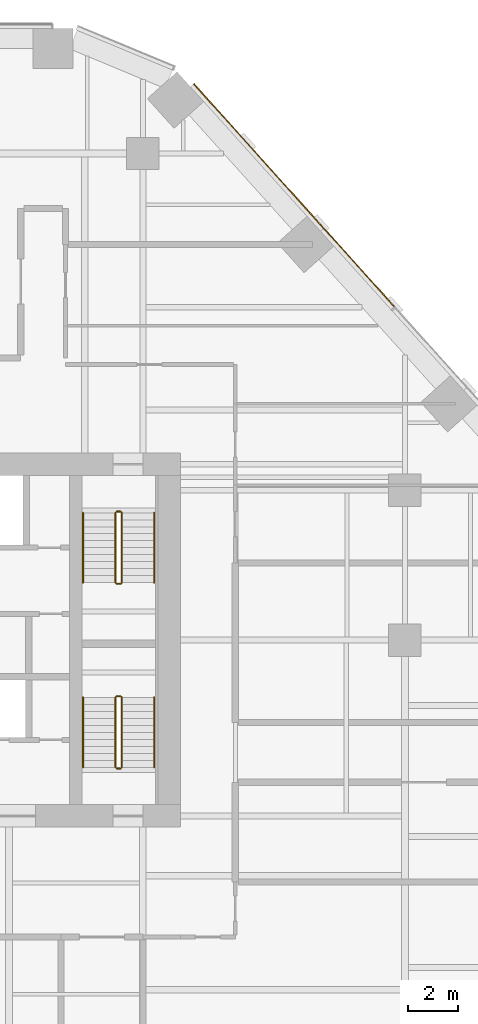
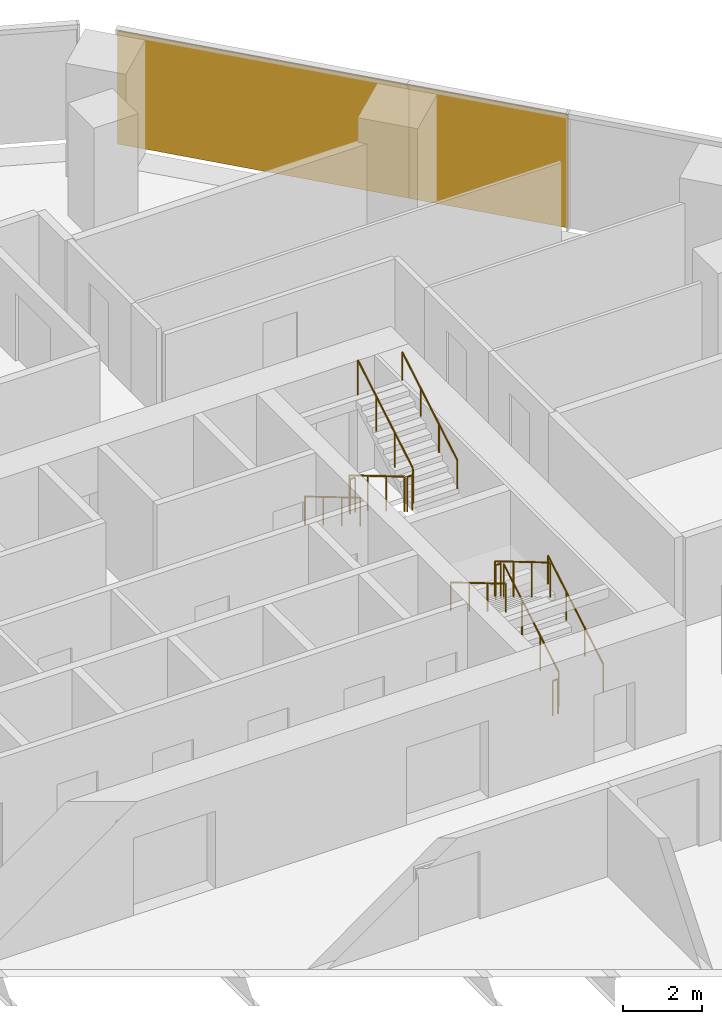
# One storey, part 20 of 21: 12 railings, 2 coverings, 1 element without a shape of its own.
"""IFC4 building model written with IfcOpenShell, lengths in metres."""

from ifc_helpers import new_model, si_unit, direction, frame, origin, origin_2d, place, context, subcontext, project, spatial, rectangle, circle, extrude, material, layer, layer_set, type_object, element, aggregate, save


model = new_model("IFC4")

# Units and contexts
model_context = context("Model", 3, precision=1e-05, world=origin(), true_north=direction((0.0, 1.0)))
body_context = subcontext(model_context, "Body", "Model", "MODEL_VIEW")
ifc_project = project(units=[si_unit("LENGTHUNIT", "METRE"), si_unit("AREAUNIT", "SQUARE_METRE"), si_unit("VOLUMEUNIT", "CUBIC_METRE"), si_unit("PLANEANGLEUNIT", "RADIAN"), si_unit("MASSUNIT", "GRAM", prefix="KILO")], contexts=[model_context])

# Site, building, storey
site_placement = place(None, origin())
site = spatial("IfcSite", under=ifc_project, at=site_placement, CompositionType="ELEMENT")
building_placement = place(site_placement, origin())
building = spatial("IfcBuilding", under=site, at=building_placement, Name="Isthmus Gate Tower", CompositionType="ELEMENT")
storey_placement = place(building_placement, frame((0.0, 0.0, 109.85009765625)))
storey = spatial("IfcBuildingStorey", under=building, at=storey_placement, Name="L26", CompositionType="ELEMENT", Elevation=109.85009765625)

# Curtain wall, coverings
ifc_material_1 = material(Name="Aluminium, pale champagne anodised", Category="aluminium")
ifc_layer_1 = layer(ifc_material_1, 0.199951171875)
ifc_layer_set_1 = layer_set([ifc_layer_1], Name="CW-1 UNITISED CURTAIN WALL 200 DEEP")
curtain_wall_type = type_object("IfcCurtainWallType", Name="CW-1 UNITISED CURTAIN WALL 200 DEEP", PredefinedType="NOTDEFINED", material=ifc_layer_set_1)
curtain_wall_placement = place(storey_placement, origin())
curtain_wall = element("IfcCurtainWall", 1, at=curtain_wall_placement, inside=storey, type_object=curtain_wall_type, Name="CW-1 NE L26", PredefinedType="NOTDEFINED")
ifc_material_2 = material(Name="Aluminium composite panel, pale champagne anodised", Category="aluminium")
ifc_layer_2 = layer(ifc_material_2, 0.0400390625)
ifc_layer_set_2 = layer_set([ifc_layer_2], Name="CW-1 PALE METAL PANEL 40")
covering_type = type_object("IfcCoveringType", Name="CW-1 PALE METAL PANEL 40", PredefinedType="CLADDING", material=ifc_layer_set_2)
covering_1_placement = place(storey_placement, frame((22.1630859375, 22.4326171875, 0.0), z_axis=(0.0, 0.0, 1.0), x_axis=(-0.669130606359, 0.743144825477, 0.0)))
covering_1 = element("IfcCovering", 2, at=covering_1_placement, type_object=covering_type, Name="CW-1 pale metal panel", PredefinedType="CLADDING", context=body_context, shape_type="SweptSolid", body=[
    extrude(rectangle(XDim=4.234619140625, YDim=0.0400390625, at=origin_2d()), origin(), (0.0, 0.0, 1.0), 3.5),
])
covering_2_placement = place(storey_placement, frame((18.14013671875, 26.900390625, 0.0), z_axis=(0.0, 0.0, 1.0), x_axis=(-0.669130606359, 0.743144825477, 0.0)))
covering_2 = element("IfcCovering", 3, at=covering_2_placement, type_object=covering_type, Name="CW-1 pale metal panel", PredefinedType="CLADDING", context=body_context, shape_type="SweptSolid", body=[
    extrude(rectangle(XDim=7.789306640625, YDim=0.0400390625, at=origin_2d()), origin(), (0.0, 0.0, 1.0), 3.5),
])
aggregate(curtain_wall, [covering_1, covering_2])

# Railings
ifc_material_3 = material(Name="Stainless steel balustrade", Category="steel")
railing_type_1 = type_object("IfcRailingType", Name="STAIR GUARD 1100", PredefinedType="GUARDRAIL", material=ifc_material_3)
railing_1_placement = place(storey_placement, frame((12.39990234375, 12.60009765625, 0.165771484375)))
element("IfcRailing", 4, at=railing_1_placement, inside=storey, type_object=railing_type_1, Name="L26 ST2 stair guard 1", PredefinedType="GUARDRAIL", context=body_context, shape_type="SweptSolid", body=[
    extrude(circle(Radius=0.02392578125, at=origin_2d()), frame((0.0, 0.0, 1.076171875), z_axis=(0.0, -0.860306154799, 0.50977771628), x_axis=(1.0, 0.0, 0.0)), (0.0, 0.0, 1.0), 3.254638671875),
    extrude(circle(Radius=0.02099609375, at=origin_2d()), origin(), (0.0, 0.0, 1.0), 1.052001953125),
    extrude(circle(Radius=0.02099609375, at=origin_2d()), frame((0.0, -0.933349609375, 0.552978515625)), (0.0, 0.0, 1.0), 1.052001953125),
    extrude(circle(Radius=0.02099609375, at=origin_2d()), frame((0.0, -1.86669921875, 1.106201171875)), (0.0, 0.0, 1.0), 1.052001953125),
    extrude(circle(Radius=0.02099609375, at=origin_2d()), frame((0.0, -2.800048828125, 1.6591796875)), (0.0, 0.0, 1.0), 1.052001953125),
])
railing_2_placement = place(storey_placement, frame((12.449951171875, 9.75, 1.824951171875)))
element("IfcRailing", 5, at=railing_2_placement, inside=storey, type_object=railing_type_1, Name="L26 ST2 stair guard 2", PredefinedType="GUARDRAIL", context=body_context, shape_type="SweptSolid", body=[
    extrude(circle(Radius=0.02392578125, at=origin_2d()), frame((0.0, 0.0, 1.076171875), z_axis=(1.0, 0.0, 0.0), x_axis=(0.0, 1.0, 0.0)), (0.0, 0.0, 1.0), 0.150146484375),
    extrude(circle(Radius=0.02099609375, at=origin_2d()), origin(), (0.0, 0.0, 1.0), 1.052001953125),
    extrude(circle(Radius=0.02099609375, at=origin_2d()), frame((0.150146484375, 0.0, 0.0)), (0.0, 0.0, 1.0), 1.052001953125),
])
railing_3_placement = place(storey_placement, frame((12.64990234375, 9.800048828125, 1.99072265625)))
element("IfcRailing", 6, at=railing_3_placement, inside=storey, type_object=railing_type_1, Name="L26 ST2 stair guard 3", PredefinedType="GUARDRAIL", context=body_context, shape_type="SweptSolid", body=[
    extrude(circle(Radius=0.02392578125, at=origin_2d()), frame((0.0, 0.0, 1.076171875), z_axis=(0.0, 0.860306154799, 0.50977771628), x_axis=(-1.0, 0.0, 0.0)), (0.0, 0.0, 1.0), 3.254638671875),
    extrude(circle(Radius=0.02099609375, at=origin_2d()), origin(), (0.0, 0.0, 1.0), 1.052001953125),
    extrude(circle(Radius=0.02099609375, at=origin_2d()), frame((0.0, 0.933349609375, 0.552978515625)), (0.0, 0.0, 1.0), 1.052001953125),
    extrude(circle(Radius=0.02099609375, at=origin_2d()), frame((0.0, 1.86669921875, 1.106201171875)), (0.0, 0.0, 1.0), 1.052001953125),
    extrude(circle(Radius=0.02099609375, at=origin_2d()), frame((0.0, 2.800048828125, 1.6591796875)), (0.0, 0.0, 1.0), 1.052001953125),
])
railing_4_placement = place(storey_placement, frame((12.449951171875, 12.64990234375, 0.0)))
element("IfcRailing", 7, at=railing_4_placement, inside=storey, type_object=railing_type_1, Name="L26 ST2 stair guard 4", PredefinedType="GUARDRAIL", context=body_context, shape_type="SweptSolid", body=[
    extrude(circle(Radius=0.02392578125, at=origin_2d()), frame((0.0, 0.0, 1.076171875), z_axis=(1.0, 0.0, 0.0), x_axis=(0.0, 1.0, 0.0)), (0.0, 0.0, 1.0), 0.150146484375),
    extrude(circle(Radius=0.02099609375, at=origin_2d()), origin(), (0.0, 0.0, 1.0), 1.052001953125),
    extrude(circle(Radius=0.02099609375, at=origin_2d()), frame((0.150146484375, 0.0, 0.0)), (0.0, 0.0, 1.0), 1.052001953125),
])
railing_5_placement = place(storey_placement, frame((12.64990234375, 2.39990234375, 0.165771484375)))
element("IfcRailing", 8, at=railing_5_placement, inside=storey, type_object=railing_type_1, Name="L26 ST8 stair guard 1", PredefinedType="GUARDRAIL", context=body_context, shape_type="SweptSolid", body=[
    extrude(circle(Radius=0.02392578125, at=origin_2d()), frame((0.0, 0.0, 1.076171875), z_axis=(0.0, 0.860306154799, 0.50977771628), x_axis=(-1.0, 0.0, 0.0)), (0.0, 0.0, 1.0), 3.254638671875),
    extrude(circle(Radius=0.02099609375, at=origin_2d()), origin(), (0.0, 0.0, 1.0), 1.052001953125),
    extrude(circle(Radius=0.02099609375, at=origin_2d()), frame((0.0, 0.933349609375, 0.552978515625)), (0.0, 0.0, 1.0), 1.052001953125),
    extrude(circle(Radius=0.02099609375, at=origin_2d()), frame((0.0, 1.86669921875, 1.106201171875)), (0.0, 0.0, 1.0), 1.052001953125),
    extrude(circle(Radius=0.02099609375, at=origin_2d()), frame((0.0, 2.800048828125, 1.6591796875)), (0.0, 0.0, 1.0), 1.052001953125),
])
railing_6_placement = place(storey_placement, frame((12.60009765625, 5.25, 1.824951171875)))
element("IfcRailing", 9, at=railing_6_placement, inside=storey, type_object=railing_type_1, Name="L26 ST8 stair guard 2", PredefinedType="GUARDRAIL", context=body_context, shape_type="SweptSolid", body=[
    extrude(circle(Radius=0.02392578125, at=origin_2d()), frame((0.0, 0.0, 1.076171875), z_axis=(-1.0, 0.0, 0.0), x_axis=(0.0, -1.0, 0.0)), (0.0, 0.0, 1.0), 0.150146484375),
    extrude(circle(Radius=0.02099609375, at=origin_2d()), origin(), (0.0, 0.0, 1.0), 1.052001953125),
    extrude(circle(Radius=0.02099609375, at=origin_2d()), frame((-0.150146484375, 0.0, 0.0)), (0.0, 0.0, 1.0), 1.052001953125),
])
railing_7_placement = place(storey_placement, frame((12.39990234375, 5.199951171875, 1.99072265625)))
element("IfcRailing", 10, at=railing_7_placement, inside=storey, type_object=railing_type_1, Name="L26 ST8 stair guard 3", PredefinedType="GUARDRAIL", context=body_context, shape_type="SweptSolid", body=[
    extrude(circle(Radius=0.02392578125, at=origin_2d()), frame((0.0, 0.0, 1.076171875), z_axis=(0.0, -0.860306154799, 0.50977771628), x_axis=(1.0, 0.0, 0.0)), (0.0, 0.0, 1.0), 3.254638671875),
    extrude(circle(Radius=0.02099609375, at=origin_2d()), origin(), (0.0, 0.0, 1.0), 1.052001953125),
    extrude(circle(Radius=0.02099609375, at=origin_2d()), frame((0.0, -0.933349609375, 0.552978515625)), (0.0, 0.0, 1.0), 1.052001953125),
    extrude(circle(Radius=0.02099609375, at=origin_2d()), frame((0.0, -1.86669921875, 1.106201171875)), (0.0, 0.0, 1.0), 1.052001953125),
    extrude(circle(Radius=0.02099609375, at=origin_2d()), frame((0.0, -2.800048828125, 1.6591796875)), (0.0, 0.0, 1.0), 1.052001953125),
])
railing_8_placement = place(storey_placement, frame((12.60009765625, 2.35009765625, 0.0)))
element("IfcRailing", 11, at=railing_8_placement, inside=storey, type_object=railing_type_1, Name="L26 ST8 stair guard 4", PredefinedType="GUARDRAIL", context=body_context, shape_type="SweptSolid", body=[
    extrude(circle(Radius=0.02392578125, at=origin_2d()), frame((0.0, 0.0, 1.076171875), z_axis=(-1.0, 0.0, 0.0), x_axis=(0.0, -1.0, 0.0)), (0.0, 0.0, 1.0), 0.150146484375),
    extrude(circle(Radius=0.02099609375, at=origin_2d()), origin(), (0.0, 0.0, 1.0), 1.052001953125),
    extrude(circle(Radius=0.02099609375, at=origin_2d()), frame((-0.150146484375, 0.0, 0.0)), (0.0, 0.0, 1.0), 1.052001953125),
])
ifc_material_4 = material(Name="Stainless steel handrail", Category="steel")
railing_type_2 = type_object("IfcRailingType", Name="STAIR HANDRAIL 900", PredefinedType="HANDRAIL", material=ifc_material_4)
railing_9_placement = place(storey_placement, frame((11.10009765625, 12.60009765625, 0.165771484375)))
element("IfcRailing", 12, at=railing_9_placement, inside=storey, type_object=railing_type_2, Name="L26 ST2 stair handrail 1", PredefinedType="HANDRAIL", context=body_context, shape_type="SweptSolid", body=[
    extrude(circle(Radius=0.02392578125, at=origin_2d()), frame((0.0, 0.0, 0.8759765625), z_axis=(0.0, -0.860306154799, 0.50977771628), x_axis=(1.0, 0.0, 0.0)), (0.0, 0.0, 1.0), 3.254638671875),
    extrude(circle(Radius=0.02099609375, at=origin_2d()), origin(), (0.0, 0.0, 1.0), 0.851806640625),
    extrude(circle(Radius=0.02099609375, at=origin_2d()), frame((0.0, -0.933349609375, 0.552978515625)), (0.0, 0.0, 1.0), 0.851806640625),
    extrude(circle(Radius=0.02099609375, at=origin_2d()), frame((0.0, -1.86669921875, 1.106201171875)), (0.0, 0.0, 1.0), 0.851806640625),
    extrude(circle(Radius=0.02099609375, at=origin_2d()), frame((0.0, -2.800048828125, 1.6591796875)), (0.0, 0.0, 1.0), 0.851806640625),
])
for number, where, name in (
    (13, (13.949951171875, 9.800048828125, 1.99072265625), "L26 ST2 stair handrail 2"),
    (14, (13.949951171875, 2.39990234375, 0.165771484375), "L26 ST8 stair handrail 1"),
):
    element("IfcRailing", number, at=place(storey_placement, frame(where)), inside=storey, type_object=railing_type_2, Name=name, PredefinedType="HANDRAIL", context=body_context, shape_type="SweptSolid", body=[
        extrude(circle(Radius=0.02392578125, at=origin_2d()), frame((0.0, 0.0, 0.8759765625), z_axis=(0.0, 0.860306154799, 0.50977771628), x_axis=(-1.0, 0.0, 0.0)), (0.0, 0.0, 1.0), 3.254638671875),
        extrude(circle(Radius=0.02099609375, at=origin_2d()), origin(), (0.0, 0.0, 1.0), 0.851806640625),
        extrude(circle(Radius=0.02099609375, at=origin_2d()), frame((0.0, 0.933349609375, 0.552978515625)), (0.0, 0.0, 1.0), 0.851806640625),
        extrude(circle(Radius=0.02099609375, at=origin_2d()), frame((0.0, 1.86669921875, 1.106201171875)), (0.0, 0.0, 1.0), 0.851806640625),
        extrude(circle(Radius=0.02099609375, at=origin_2d()), frame((0.0, 2.800048828125, 1.6591796875)), (0.0, 0.0, 1.0), 0.851806640625),
    ])
railing_10_placement = place(storey_placement, frame((11.10009765625, 5.199951171875, 1.99072265625)))
element("IfcRailing", 15, at=railing_10_placement, inside=storey, type_object=railing_type_2, Name="L26 ST8 stair handrail 2", PredefinedType="HANDRAIL", context=body_context, shape_type="SweptSolid", body=[
    extrude(circle(Radius=0.02392578125, at=origin_2d()), frame((0.0, 0.0, 0.8759765625), z_axis=(0.0, -0.860306154799, 0.50977771628), x_axis=(1.0, 0.0, 0.0)), (0.0, 0.0, 1.0), 3.254638671875),
    extrude(circle(Radius=0.02099609375, at=origin_2d()), origin(), (0.0, 0.0, 1.0), 0.851806640625),
    extrude(circle(Radius=0.02099609375, at=origin_2d()), frame((0.0, -0.933349609375, 0.552978515625)), (0.0, 0.0, 1.0), 0.851806640625),
    extrude(circle(Radius=0.02099609375, at=origin_2d()), frame((0.0, -1.86669921875, 1.106201171875)), (0.0, 0.0, 1.0), 0.851806640625),
    extrude(circle(Radius=0.02099609375, at=origin_2d()), frame((0.0, -2.800048828125, 1.6591796875)), (0.0, 0.0, 1.0), 0.851806640625),
])

save(model, "model.ifc")
